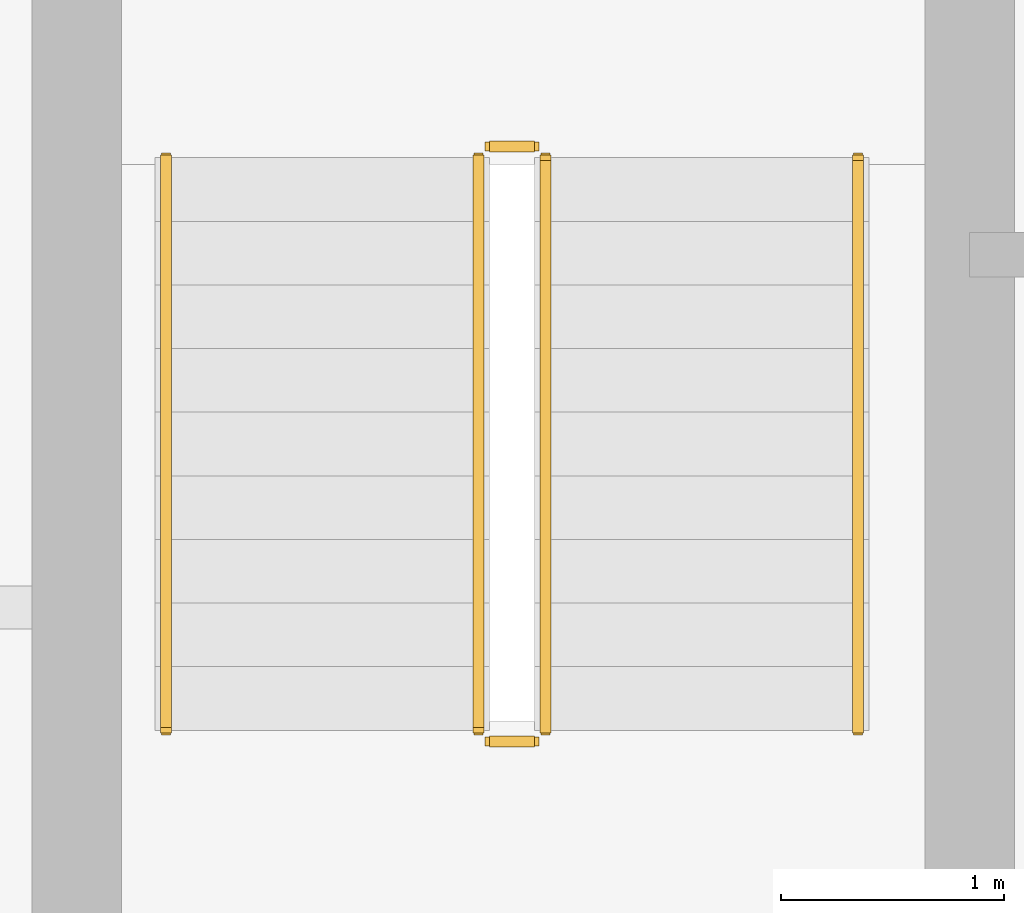
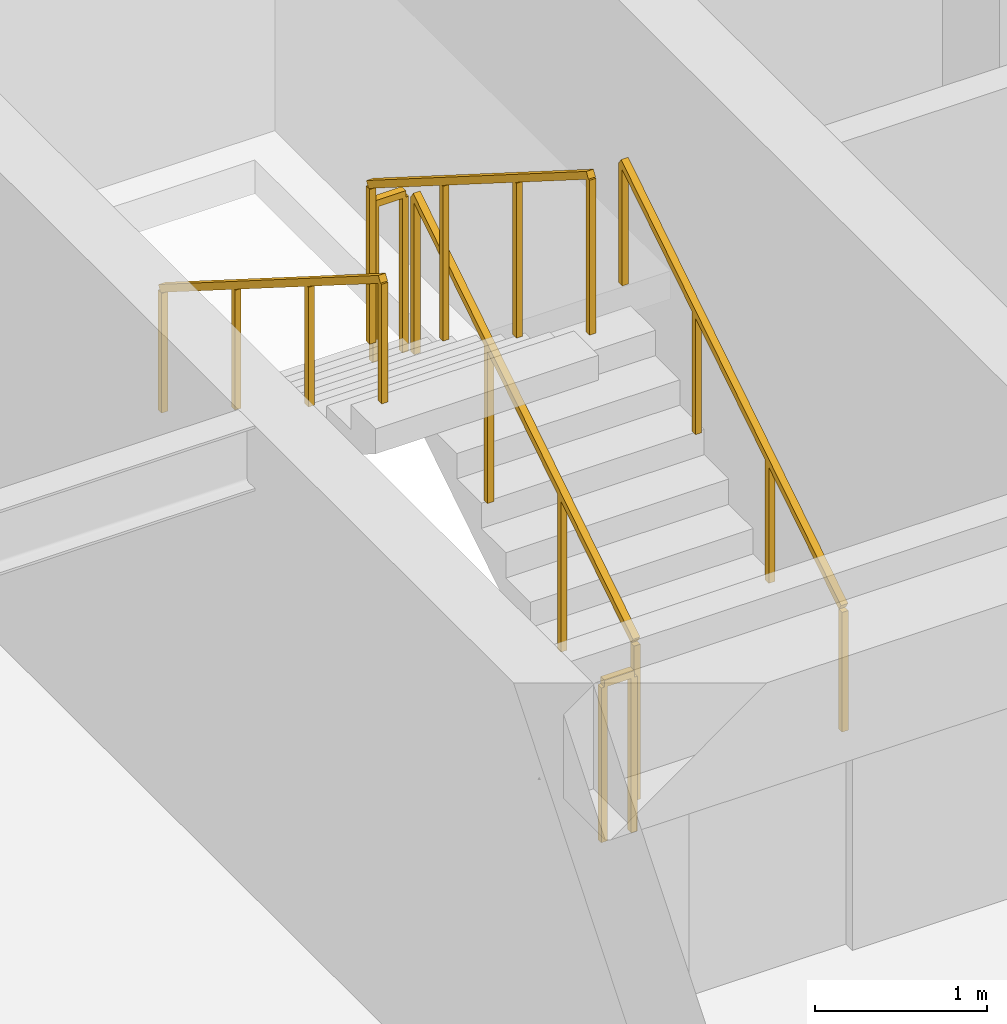
# One storey, part 21 of 23: 6 railings.
"""IFC4 building model written with IfcOpenShell, lengths in metres."""

from ifc_helpers import new_model, si_unit, direction, frame, origin, origin_2d, place, context, subcontext, project, spatial, rectangle, extrude, material, type_object, element, save


model = new_model("IFC4")

# Units and contexts
model_context = context("Model", 3, precision=1e-05, world=origin(), true_north=direction((0.0, 1.0)))
body_context = subcontext(model_context, "Body", "Model", "MODEL_VIEW")
ifc_project = project(units=[si_unit("LENGTHUNIT", "METRE"), si_unit("AREAUNIT", "SQUARE_METRE"), si_unit("VOLUMEUNIT", "CUBIC_METRE"), si_unit("PLANEANGLEUNIT", "RADIAN"), si_unit("MASSUNIT", "GRAM", prefix="KILO")], contexts=[model_context])

# Site, building, storey
site_placement = place(None, origin())
site = spatial("IfcSite", under=ifc_project, at=site_placement, CompositionType="ELEMENT")
building_placement = place(site_placement, origin())
building = spatial("IfcBuilding", under=site, at=building_placement, Name="Sarneth Arch Tower", CompositionType="ELEMENT")
storey_placement = place(building_placement, frame((0.0, 0.0, 235.199951171875)))
storey = spatial("IfcBuildingStorey", under=building, at=storey_placement, Name="L60", CompositionType="ELEMENT", Elevation=235.199951171875)

# Railings
ifc_material_1 = material(Name="Brushed Stainless Steel 304 tubular handrail", Category="steel")
railing_type_1 = type_object("IfcRailingType", Name="RAIL-HANDRAIL-900", PredefinedType="HANDRAIL", material=ifc_material_1)
railing_1_placement = place(storey_placement, frame((40.5, 41.449951171875, 0.179931640625)))
element("IfcRailing", 1, at=railing_1_placement, inside=storey, type_object=railing_type_1, Name="L60 ST-1 stair handrail 1", PredefinedType="HANDRAIL", context=body_context, shape_type="SweptSolid", body=[
    extrude(rectangle(XDim=0.048095703125, YDim=0.048095703125, at=origin_2d()), frame((0.0, 0.0, 0.8759765625), z_axis=(0.0, 0.845465955043, 0.534029323973), x_axis=(-1.0, 0.0, 0.0)), (0.0, 0.0, 1.0), 3.03369140625),
    extrude(rectangle(XDim=0.0419921875, YDim=0.0419921875, at=origin_2d()), origin(), (0.0, 0.0, 1.0), 0.851806640625),
    extrude(rectangle(XDim=0.0419921875, YDim=0.0419921875, at=origin_2d()), frame((0.0, 0.85498046875, 0.5400390625)), (0.0, 0.0, 1.0), 0.851806640625),
    extrude(rectangle(XDim=0.0419921875, YDim=0.0419921875, at=origin_2d()), frame((0.0, 1.7099609375, 1.080078125)), (0.0, 0.0, 1.0), 0.851806640625),
    extrude(rectangle(XDim=0.0419921875, YDim=0.0419921875, at=origin_2d()), frame((0.0, 2.56494140625, 1.6201171875)), (0.0, 0.0, 1.0), 0.851806640625),
])
railing_2_placement = place(storey_placement, frame((37.39990234375, 44.014892578125, 1.97998046875)))
element("IfcRailing", 2, at=railing_2_placement, inside=storey, type_object=railing_type_1, Name="L60 ST-1 stair handrail 2", PredefinedType="HANDRAIL", context=body_context, shape_type="SweptSolid", body=[
    extrude(rectangle(XDim=0.048095703125, YDim=0.048095703125, at=origin_2d()), frame((0.0, 0.0, 0.8759765625), z_axis=(0.0, -0.845465955043, 0.534029323973), x_axis=(1.0, 0.0, 0.0)), (0.0, 0.0, 1.0), 3.03369140625),
    extrude(rectangle(XDim=0.0419921875, YDim=0.0419921875, at=origin_2d()), origin(), (0.0, 0.0, 1.0), 0.851806640625),
    extrude(rectangle(XDim=0.0419921875, YDim=0.0419921875, at=origin_2d()), frame((0.0, -0.85498046875, 0.5400390625)), (0.0, 0.0, 1.0), 0.851806640625),
    extrude(rectangle(XDim=0.0419921875, YDim=0.0419921875, at=origin_2d()), frame((0.0, -1.7099609375, 1.080078125)), (0.0, 0.0, 1.0), 0.851806640625),
    extrude(rectangle(XDim=0.0419921875, YDim=0.0419921875, at=origin_2d()), frame((0.0, -2.56494140625, 1.6201171875)), (0.0, 0.0, 1.0), 0.851806640625),
])
ifc_material_2 = material(Name="Painted Steel S275 stair well guard", Category="steel")
railing_type_2 = type_object("IfcRailingType", Name="RAIL-STAIR-GUARD", PredefinedType="GUARDRAIL", material=ifc_material_2)
railing_3_placement = place(storey_placement, frame((39.10009765625, 41.449951171875, 0.179931640625)))
element("IfcRailing", 3, at=railing_3_placement, inside=storey, type_object=railing_type_2, Name="L60 ST-1 stair guard 1", PredefinedType="GUARDRAIL", context=body_context, shape_type="SweptSolid", body=[
    extrude(rectangle(XDim=0.048095703125, YDim=0.048095703125, at=origin_2d()), frame((0.0, 0.0, 1.1259765625), z_axis=(0.0, 0.845465955043, 0.534029323973), x_axis=(-1.0, 0.0, 0.0)), (0.0, 0.0, 1.0), 3.03369140625),
    extrude(rectangle(XDim=0.0419921875, YDim=0.0419921875, at=origin_2d()), origin(), (0.0, 0.0, 1.0), 1.101806640625),
    extrude(rectangle(XDim=0.0419921875, YDim=0.0419921875, at=origin_2d()), frame((0.0, 0.85498046875, 0.5400390625)), (0.0, 0.0, 1.0), 1.101806640625),
    extrude(rectangle(XDim=0.0419921875, YDim=0.0419921875, at=origin_2d()), frame((0.0, 1.7099609375, 1.080078125)), (0.0, 0.0, 1.0), 1.101806640625),
    extrude(rectangle(XDim=0.0419921875, YDim=0.0419921875, at=origin_2d()), frame((0.0, 2.56494140625, 1.6201171875)), (0.0, 0.0, 1.0), 1.101806640625),
])
railing_4_placement = place(storey_placement, frame((39.050048828125, 44.06494140625, 1.800048828125)))
element("IfcRailing", 4, at=railing_4_placement, inside=storey, type_object=railing_type_2, Name="L60 ST-1 stair guard 2", PredefinedType="GUARDRAIL", context=body_context, shape_type="SweptSolid", body=[
    extrude(rectangle(XDim=0.048095703125, YDim=0.048095703125, at=origin_2d()), frame((0.0, 0.0, 1.1259765625), z_axis=(-1.0, 0.0, 0.0), x_axis=(0.0, -1.0, 0.0)), (0.0, 0.0, 1.0), 0.199951171875),
    extrude(rectangle(XDim=0.0419921875, YDim=0.0419921875, at=origin_2d()), origin(), (0.0, 0.0, 1.0), 1.101806640625),
    extrude(rectangle(XDim=0.0419921875, YDim=0.0419921875, at=origin_2d()), frame((-0.199951171875, 0.0, 0.0)), (0.0, 0.0, 1.0), 1.101806640625),
])
railing_5_placement = place(storey_placement, frame((38.800048828125, 44.014892578125, 1.97998046875)))
element("IfcRailing", 5, at=railing_5_placement, inside=storey, type_object=railing_type_2, Name="L60 ST-1 stair guard 3", PredefinedType="GUARDRAIL", context=body_context, shape_type="SweptSolid", body=[
    extrude(rectangle(XDim=0.048095703125, YDim=0.048095703125, at=origin_2d()), frame((0.0, 0.0, 1.1259765625), z_axis=(0.0, -0.845465955043, 0.534029323973), x_axis=(1.0, 0.0, 0.0)), (0.0, 0.0, 1.0), 3.03369140625),
    extrude(rectangle(XDim=0.0419921875, YDim=0.0419921875, at=origin_2d()), origin(), (0.0, 0.0, 1.0), 1.101806640625),
    extrude(rectangle(XDim=0.0419921875, YDim=0.0419921875, at=origin_2d()), frame((0.0, -0.85498046875, 0.5400390625)), (0.0, 0.0, 1.0), 1.101806640625),
    extrude(rectangle(XDim=0.0419921875, YDim=0.0419921875, at=origin_2d()), frame((0.0, -1.7099609375, 1.080078125)), (0.0, 0.0, 1.0), 1.101806640625),
    extrude(rectangle(XDim=0.0419921875, YDim=0.0419921875, at=origin_2d()), frame((0.0, -2.56494140625, 1.6201171875)), (0.0, 0.0, 1.0), 1.101806640625),
])
railing_6_placement = place(storey_placement, frame((39.050048828125, 41.39990234375, 0.0)))
element("IfcRailing", 6, at=railing_6_placement, inside=storey, type_object=railing_type_2, Name="L60 ST-1 stair guard 4", PredefinedType="GUARDRAIL", context=body_context, shape_type="SweptSolid", body=[
    extrude(rectangle(XDim=0.048095703125, YDim=0.048095703125, at=origin_2d()), frame((0.0, 0.0, 1.1259765625), z_axis=(-1.0, 0.0, 0.0), x_axis=(0.0, -1.0, 0.0)), (0.0, 0.0, 1.0), 0.199951171875),
    extrude(rectangle(XDim=0.0419921875, YDim=0.0419921875, at=origin_2d()), origin(), (0.0, 0.0, 1.0), 1.101806640625),
    extrude(rectangle(XDim=0.0419921875, YDim=0.0419921875, at=origin_2d()), frame((-0.199951171875, 0.0, 0.0)), (0.0, 0.0, 1.0), 1.101806640625),
])

save(model, "model.ifc")
